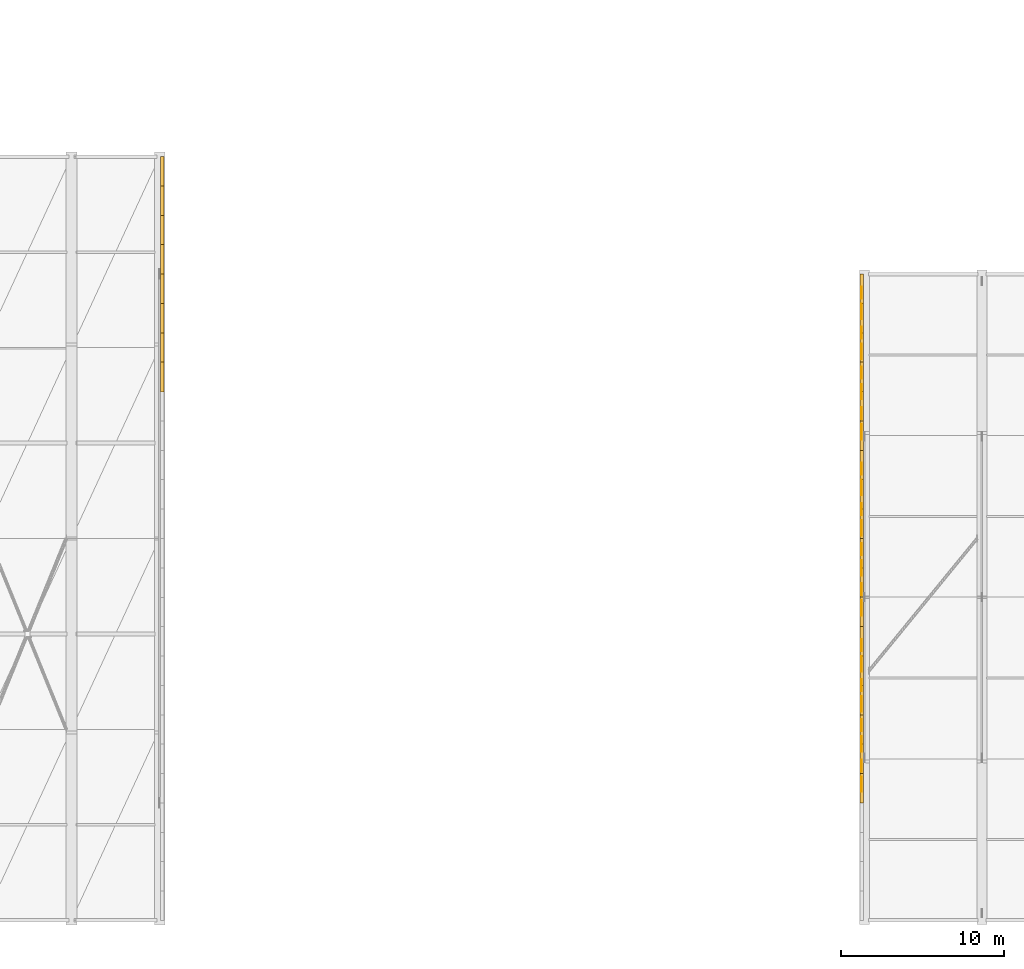
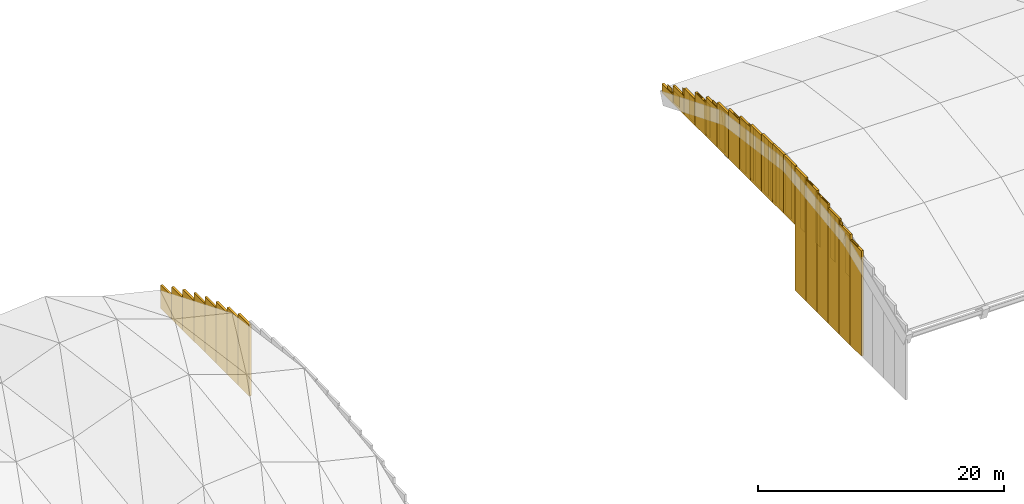
# One storey, part 20 of 22: 50 coverings.
"""IFC4 building model written with IfcOpenShell, lengths in metres."""

from ifc_helpers import new_model, si_unit, direction, frame, origin, origin_2d, place, context, subcontext, project, spatial, rectangle, extrude, material, layer, layer_set, type_object, element, save


model = new_model("IFC4")

# Units and contexts
model_context = context("Model", 3, precision=1e-05, world=origin(), true_north=direction((0.0, 1.0)))
body_context = subcontext(model_context, "Body", "Model", "MODEL_VIEW")
ifc_project = project(units=[si_unit("LENGTHUNIT", "METRE"), si_unit("AREAUNIT", "SQUARE_METRE"), si_unit("VOLUMEUNIT", "CUBIC_METRE"), si_unit("PLANEANGLEUNIT", "RADIAN"), si_unit("MASSUNIT", "GRAM", prefix="KILO")], contexts=[model_context])

# Site, building, storey
site_placement = place(None, origin())
site = spatial("IfcSite", under=ifc_project, at=site_placement, CompositionType="ELEMENT")
building_placement = place(site_placement, origin())
building = spatial("IfcBuilding", under=site, at=building_placement, Name="Lusvemor Sports Hall", CompositionType="ELEMENT")
storey_placement = place(building_placement, frame((0.0, 0.0, 23.39990234375)))
storey = spatial("IfcBuildingStorey", under=building, at=storey_placement, Name="Roof", CompositionType="ELEMENT", Elevation=23.39990234375)

# Coverings
ifc_material_1 = material(Name="Emerald polychrome glazed ceramic cladding on Concrete C40/50 backing", Category="concrete")
ifc_layer_1 = layer(ifc_material_1, 0.0458984375)
ifc_layer_set_1 = layer_set([ifc_layer_1], Name="Emerald polychrome glazed ceramic cladding on Concrete C40/50 backing")
covering_type_1 = type_object("IfcCoveringType", Name="CLAD_WAVE_EMERALD", PredefinedType="CLADDING", material=ifc_layer_set_1)
covering_1_placement = place(storey_placement, frame((118.6220703125, 8.3349609375, -1.919921875), z_axis=(0.0, 0.0, 1.0), x_axis=(1.0, 0.0, 0.0)))
element("IfcCovering", 1, at=covering_1_placement, inside=storey, type_object=covering_type_1, Name="Art Nouveau Patterned Cladding PS-V2TY-W-1-0-1", PredefinedType="CLADDING", context=body_context, shape_type="SweptSolid", body=[
    extrude(rectangle(XDim=0.0458984375, YDim=0.943115234375, at=origin_2d()), origin(), (0.0, 0.0, 1.0), 4.0166015625),
])
covering_2_placement = place(storey_placement, frame((118.6220703125, 10.794921875, -1.919921875), z_axis=(0.0, 0.0, 1.0), x_axis=(1.0, 0.0, 0.0)))
element("IfcCovering", 2, at=covering_2_placement, inside=storey, type_object=covering_type_1, Name="Art Nouveau Patterned Cladding PS-V2TY-W-1-1-1", PredefinedType="CLADDING", context=body_context, shape_type="SweptSolid", body=[
    extrude(rectangle(XDim=0.0458984375, YDim=0.943115234375, at=origin_2d()), origin(), (0.0, 0.0, 1.0), 4.671142578125),
])
covering_3_placement = place(storey_placement, frame((118.6220703125, 13.2548828125, -1.919921875), z_axis=(0.0, 0.0, 1.0), x_axis=(1.0, 0.0, 0.0)))
element("IfcCovering", 3, at=covering_3_placement, inside=storey, type_object=covering_type_1, Name="Art Nouveau Patterned Cladding PS-V2TY-W-1-2-1", PredefinedType="CLADDING", context=body_context, shape_type="SweptSolid", body=[
    extrude(rectangle(XDim=0.0458984375, YDim=0.943115234375, at=origin_2d()), origin(), (0.0, 0.0, 1.0), 5.1591796875),
])
covering_4_placement = place(storey_placement, frame((118.6220703125, 15.715087890625, -1.919921875), z_axis=(0.0, 0.0, 1.0), x_axis=(1.0, 0.0, 0.0)))
element("IfcCovering", 4, at=covering_4_placement, inside=storey, type_object=covering_type_1, Name="Art Nouveau Patterned Cladding PS-V2TY-W-1-3-1", PredefinedType="CLADDING", context=body_context, shape_type="SweptSolid", body=[
    extrude(rectangle(XDim=0.0458984375, YDim=0.943115234375, at=origin_2d()), origin(), (0.0, 0.0, 1.0), 5.480224609375),
])
covering_5_placement = place(storey_placement, frame((118.6220703125, 19.135009765625, -1.919921875), z_axis=(0.0, 0.0, 1.0), x_axis=(1.0, 0.0, 0.0)))
element("IfcCovering", 5, at=covering_5_placement, inside=storey, type_object=covering_type_1, Name="Art Nouveau Patterned Cladding PS-V2TY-W-2-0-1", PredefinedType="CLADDING", context=body_context, shape_type="SweptSolid", body=[
    extrude(rectangle(XDim=0.0458984375, YDim=0.943115234375, at=origin_2d()), origin(), (0.0, 0.0, 1.0), 5.64990234375),
])
covering_6_placement = place(storey_placement, frame((118.6220703125, 21.594970703125, -1.919921875), z_axis=(0.0, 0.0, 1.0), x_axis=(1.0, 0.0, 0.0)))
element("IfcCovering", 6, at=covering_6_placement, inside=storey, type_object=covering_type_1, Name="Art Nouveau Patterned Cladding PS-V2TY-W-2-1-1", PredefinedType="CLADDING", context=body_context, shape_type="SweptSolid", body=[
    extrude(rectangle(XDim=0.0458984375, YDim=0.943115234375, at=origin_2d()), origin(), (0.0, 0.0, 1.0), 5.572509765625),
])
covering_7_placement = place(storey_placement, frame((118.6220703125, 24.054931640625, -1.919921875), z_axis=(0.0, 0.0, 1.0), x_axis=(1.0, 0.0, 0.0)))
element("IfcCovering", 7, at=covering_7_placement, inside=storey, type_object=covering_type_1, Name="Art Nouveau Patterned Cladding PS-V2TY-W-2-2-1", PredefinedType="CLADDING", context=body_context, shape_type="SweptSolid", body=[
    extrude(rectangle(XDim=0.0458984375, YDim=0.943115234375, at=origin_2d()), origin(), (0.0, 0.0, 1.0), 5.32861328125),
])
covering_8_placement = place(storey_placement, frame((118.6220703125, 26.514892578125, -1.919921875), z_axis=(0.0, 0.0, 1.0), x_axis=(1.0, 0.0, 0.0)))
element("IfcCovering", 8, at=covering_8_placement, inside=storey, type_object=covering_type_1, Name="Art Nouveau Patterned Cladding PS-V2TY-W-2-3-1", PredefinedType="CLADDING", context=body_context, shape_type="SweptSolid", body=[
    extrude(rectangle(XDim=0.0458984375, YDim=0.943115234375, at=origin_2d()), origin(), (0.0, 0.0, 1.0), 4.91796875),
])
covering_9_placement = place(storey_placement, frame((118.6220703125, 29.93505859375, -1.919921875), z_axis=(0.0, 0.0, 1.0), x_axis=(1.0, 0.0, 0.0)))
element("IfcCovering", 9, at=covering_9_placement, inside=storey, type_object=covering_type_1, Name="Art Nouveau Patterned Cladding PS-V2TY-W-3-0-1", PredefinedType="CLADDING", context=body_context, shape_type="SweptSolid", body=[
    extrude(rectangle(XDim=0.0458984375, YDim=0.943115234375, at=origin_2d()), origin(), (0.0, 0.0, 1.0), 4.070068359375),
])
covering_10_placement = place(storey_placement, frame((118.6220703125, 32.39501953125, -1.919921875), z_axis=(0.0, 0.0, 1.0), x_axis=(1.0, 0.0, 0.0)))
element("IfcCovering", 10, at=covering_10_placement, inside=storey, type_object=covering_type_1, Name="Art Nouveau Patterned Cladding PS-V2TY-W-3-1-1", PredefinedType="CLADDING", context=body_context, shape_type="SweptSolid", body=[
    extrude(rectangle(XDim=0.0458984375, YDim=0.943115234375, at=origin_2d()), origin(), (0.0, 0.0, 1.0), 3.260986328125),
])
covering_11_placement = place(storey_placement, frame((118.6220703125, 34.85498046875, -1.919921875), z_axis=(0.0, 0.0, 1.0), x_axis=(1.0, 0.0, 0.0)))
element("IfcCovering", 11, at=covering_11_placement, inside=storey, type_object=covering_type_1, Name="Art Nouveau Patterned Cladding PS-V2TY-W-3-2-1", PredefinedType="CLADDING", context=body_context, shape_type="SweptSolid", body=[
    extrude(rectangle(XDim=0.0458984375, YDim=0.943115234375, at=origin_2d()), origin(), (0.0, 0.0, 1.0), 2.284912109375),
])
covering_12_placement = place(storey_placement, frame((118.6220703125, 37.31494140625, -1.919921875), z_axis=(0.0, 0.0, 1.0), x_axis=(1.0, 0.0, 0.0)))
element("IfcCovering", 12, at=covering_12_placement, inside=storey, type_object=covering_type_1, Name="Art Nouveau Patterned Cladding PS-V2TY-W-3-3-1", PredefinedType="CLADDING", context=body_context, shape_type="SweptSolid", body=[
    extrude(rectangle(XDim=0.0458984375, YDim=0.943115234375, at=origin_2d()), origin(), (0.0, 0.0, 1.0), 1.142578125),
])
covering_13_placement = place(storey_placement, frame((118.639892578125, 8.10009765625, -8.5498046875), z_axis=(0.0, 0.0, 1.0), x_axis=(1.0, 0.0, 0.0)))
element("IfcCovering", 13, at=covering_13_placement, inside=storey, type_object=covering_type_1, Name="East Vault Gable Patterned Tympanum W-05", PredefinedType="CLADDING", context=body_context, shape_type="SweptSolid", body=[
    extrude(rectangle(XDim=0.199951171875, YDim=1.81201171875, at=origin_2d()), origin(), (0.0, 0.0, 1.0), 10.444580078125),
])
covering_14_placement = place(storey_placement, frame((118.639892578125, 11.699951171875, -8.550048828125), z_axis=(0.0, 0.0, 1.0), x_axis=(1.0, 0.0, 0.0)))
element("IfcCovering", 14, at=covering_14_placement, inside=storey, type_object=covering_type_1, Name="East Vault Gable Patterned Tympanum W-07", PredefinedType="CLADDING", context=body_context, shape_type="SweptSolid", body=[
    extrude(rectangle(XDim=0.199951171875, YDim=1.81201171875, at=origin_2d()), origin(), (0.0, 0.0, 1.0), 11.42626953125),
])
covering_15_placement = place(storey_placement, frame((118.639892578125, 15.300048828125, -8.5498046875), z_axis=(0.0, 0.0, 1.0), x_axis=(1.0, 0.0, 0.0)))
element("IfcCovering", 15, at=covering_15_placement, inside=storey, type_object=covering_type_1, Name="East Vault Gable Patterned Tympanum W-09", PredefinedType="CLADDING", context=body_context, shape_type="SweptSolid", body=[
    extrude(rectangle(XDim=0.199951171875, YDim=1.81201171875, at=origin_2d()), origin(), (0.0, 0.0, 1.0), 12.051025390625),
])
covering_16_placement = place(storey_placement, frame((118.639892578125, 18.89990234375, -2.0498046875), z_axis=(0.0, 0.0, 1.0), x_axis=(1.0, 0.0, 0.0)))
element("IfcCovering", 16, at=covering_16_placement, inside=storey, type_object=covering_type_1, Name="East Vault Gable Patterned Tympanum W-11", PredefinedType="CLADDING", context=body_context, shape_type="SweptSolid", body=[
    extrude(rectangle(XDim=0.199951171875, YDim=1.81201171875, at=origin_2d()), origin(), (0.0, 0.0, 1.0), 5.81884765625),
])
covering_17_placement = place(storey_placement, frame((118.639892578125, 22.5, -2.0498046875), z_axis=(0.0, 0.0, 1.0), x_axis=(1.0, 0.0, 0.0)))
element("IfcCovering", 17, at=covering_17_placement, inside=storey, type_object=covering_type_1, Name="East Vault Gable Patterned Tympanum W-13", PredefinedType="CLADDING", context=body_context, shape_type="SweptSolid", body=[
    extrude(rectangle(XDim=0.199951171875, YDim=1.81201171875, at=origin_2d()), origin(), (0.0, 0.0, 1.0), 5.7294921875),
])
covering_18_placement = place(storey_placement, frame((118.639892578125, 26.10009765625, -2.0498046875), z_axis=(0.0, 0.0, 1.0), x_axis=(1.0, 0.0, 0.0)))
element("IfcCovering", 18, at=covering_18_placement, inside=storey, type_object=covering_type_1, Name="East Vault Gable Patterned Tympanum W-15", PredefinedType="CLADDING", context=body_context, shape_type="SweptSolid", body=[
    extrude(rectangle(XDim=0.199951171875, YDim=1.81201171875, at=origin_2d()), origin(), (0.0, 0.0, 1.0), 5.283203125),
])
covering_19_placement = place(storey_placement, frame((118.639892578125, 29.699951171875, -2.0498046875), z_axis=(0.0, 0.0, 1.0), x_axis=(1.0, 0.0, 0.0)))
element("IfcCovering", 19, at=covering_19_placement, inside=storey, type_object=covering_type_1, Name="East Vault Gable Patterned Tympanum W-17", PredefinedType="CLADDING", context=body_context, shape_type="SweptSolid", body=[
    extrude(rectangle(XDim=0.199951171875, YDim=1.81201171875, at=origin_2d()), origin(), (0.0, 0.0, 1.0), 4.47998046875),
])
covering_20_placement = place(storey_placement, frame((118.639892578125, 33.300048828125, -2.0498046875), z_axis=(0.0, 0.0, 1.0), x_axis=(1.0, 0.0, 0.0)))
element("IfcCovering", 20, at=covering_20_placement, inside=storey, type_object=covering_type_1, Name="East Vault Gable Patterned Tympanum W-19", PredefinedType="CLADDING", context=body_context, shape_type="SweptSolid", body=[
    extrude(rectangle(XDim=0.199951171875, YDim=1.81201171875, at=origin_2d()), origin(), (0.0, 0.0, 1.0), 3.319580078125),
])
covering_21_placement = place(storey_placement, frame((118.639892578125, 36.89990234375, -2.0498046875), z_axis=(0.0, 0.0, 1.0), x_axis=(1.0, 0.0, 0.0)))
element("IfcCovering", 21, at=covering_21_placement, inside=storey, type_object=covering_type_1, Name="East Vault Gable Patterned Tympanum W-21", PredefinedType="CLADDING", context=body_context, shape_type="SweptSolid", body=[
    extrude(rectangle(XDim=0.199951171875, YDim=1.81201171875, at=origin_2d()), origin(), (0.0, 0.0, 1.0), 1.80224609375),
])
covering_22_placement = place(storey_placement, frame((75.760009765625, 33.300048828125, -12.800048828125), z_axis=(0.0, 0.0, 1.0), x_axis=(1.0, 0.0, 0.0)))
element("IfcCovering", 22, at=covering_22_placement, inside=storey, type_object=covering_type_1, Name="Wave Vault Gable Patterned Tympanum E-19", PredefinedType="CLADDING", context=body_context, shape_type="SweptSolid", body=[
    extrude(rectangle(XDim=0.199951171875, YDim=1.81201171875, at=origin_2d()), origin(), (0.0, 0.0, 1.0), 7.09912109375),
])
covering_23_placement = place(storey_placement, frame((75.760009765625, 36.89990234375, -12.800048828125), z_axis=(0.0, 0.0, 1.0), x_axis=(1.0, 0.0, 0.0)))
element("IfcCovering", 23, at=covering_23_placement, inside=storey, type_object=covering_type_1, Name="Wave Vault Gable Patterned Tympanum E-21", PredefinedType="CLADDING", context=body_context, shape_type="SweptSolid", body=[
    extrude(rectangle(XDim=0.199951171875, YDim=1.81201171875, at=origin_2d()), origin(), (0.0, 0.0, 1.0), 6.10986328125),
])
covering_24_placement = place(storey_placement, frame((75.760009765625, 40.5, -12.7998046875), z_axis=(0.0, 0.0, 1.0), x_axis=(1.0, 0.0, 0.0)))
element("IfcCovering", 24, at=covering_24_placement, inside=storey, type_object=covering_type_1, Name="Wave Vault Gable Patterned Tympanum E-23", PredefinedType="CLADDING", context=body_context, shape_type="SweptSolid", body=[
    extrude(rectangle(XDim=0.199951171875, YDim=1.81201171875, at=origin_2d()), origin(), (0.0, 0.0, 1.0), 4.816162109375),
])
covering_25_placement = place(storey_placement, frame((75.760009765625, 44.10009765625, -12.800048828125), z_axis=(0.0, 0.0, 1.0), x_axis=(1.0, 0.0, 0.0)))
element("IfcCovering", 25, at=covering_25_placement, inside=storey, type_object=covering_type_1, Name="Wave Vault Gable Patterned Tympanum E-25", PredefinedType="CLADDING", context=body_context, shape_type="SweptSolid", body=[
    extrude(rectangle(XDim=0.199951171875, YDim=1.81201171875, at=origin_2d()), origin(), (0.0, 0.0, 1.0), 3.21826171875),
])
ifc_material_2 = material(Name="Warm terracotta Art Nouveau ceramic cladding on Concrete C40/50 backing", Category="masonry")
ifc_layer_2 = layer(ifc_material_2, 0.0380859375)
ifc_layer_set_2 = layer_set([ifc_layer_2], Name="Warm terracotta Art Nouveau ceramic cladding on Concrete C40/50 backing")
covering_type_2 = type_object("IfcCoveringType", Name="CLAD_WAVE_OCHRE", PredefinedType="CLADDING", material=ifc_layer_set_2)
covering_26_placement = place(storey_placement, frame((118.6259765625, 9.485107421875, -1.919921875), z_axis=(0.0, 0.0, 1.0), x_axis=(1.0, 0.0, 0.0)))
element("IfcCovering", 26, at=covering_26_placement, inside=storey, type_object=covering_type_2, Name="Art Nouveau Patterned Cladding PS-V2TY-W-1-0-2", PredefinedType="CLADDING", context=body_context, shape_type="SweptSolid", body=[
    extrude(rectangle(XDim=0.0380859375, YDim=0.736083984375, at=origin_2d()), origin(), (0.0, 0.0, 1.0), 4.0166015625),
])
covering_27_placement = place(storey_placement, frame((118.6259765625, 11.945068359375, -1.919921875), z_axis=(0.0, 0.0, 1.0), x_axis=(1.0, 0.0, 0.0)))
element("IfcCovering", 27, at=covering_27_placement, inside=storey, type_object=covering_type_2, Name="Art Nouveau Patterned Cladding PS-V2TY-W-1-1-2", PredefinedType="CLADDING", context=body_context, shape_type="SweptSolid", body=[
    extrude(rectangle(XDim=0.0380859375, YDim=0.736083984375, at=origin_2d()), origin(), (0.0, 0.0, 1.0), 4.671142578125),
])
covering_28_placement = place(storey_placement, frame((118.6259765625, 14.405029296875, -1.919921875), z_axis=(0.0, 0.0, 1.0), x_axis=(1.0, 0.0, 0.0)))
element("IfcCovering", 28, at=covering_28_placement, inside=storey, type_object=covering_type_2, Name="Art Nouveau Patterned Cladding PS-V2TY-W-1-2-2", PredefinedType="CLADDING", context=body_context, shape_type="SweptSolid", body=[
    extrude(rectangle(XDim=0.0380859375, YDim=0.736083984375, at=origin_2d()), origin(), (0.0, 0.0, 1.0), 5.1591796875),
])
covering_29_placement = place(storey_placement, frame((118.6259765625, 16.864990234375, -1.919921875), z_axis=(0.0, 0.0, 1.0), x_axis=(1.0, 0.0, 0.0)))
element("IfcCovering", 29, at=covering_29_placement, inside=storey, type_object=covering_type_2, Name="Art Nouveau Patterned Cladding PS-V2TY-W-1-3-2", PredefinedType="CLADDING", context=body_context, shape_type="SweptSolid", body=[
    extrude(rectangle(XDim=0.0380859375, YDim=0.736083984375, at=origin_2d()), origin(), (0.0, 0.0, 1.0), 5.480224609375),
])
covering_30_placement = place(storey_placement, frame((118.6259765625, 20.284912109375, -1.919921875), z_axis=(0.0, 0.0, 1.0), x_axis=(1.0, 0.0, 0.0)))
element("IfcCovering", 30, at=covering_30_placement, inside=storey, type_object=covering_type_2, Name="Art Nouveau Patterned Cladding PS-V2TY-W-2-0-2", PredefinedType="CLADDING", context=body_context, shape_type="SweptSolid", body=[
    extrude(rectangle(XDim=0.0380859375, YDim=0.736083984375, at=origin_2d()), origin(), (0.0, 0.0, 1.0), 5.64990234375),
])
covering_31_placement = place(storey_placement, frame((118.6259765625, 22.7451171875, -1.919921875), z_axis=(0.0, 0.0, 1.0), x_axis=(1.0, 0.0, 0.0)))
element("IfcCovering", 31, at=covering_31_placement, inside=storey, type_object=covering_type_2, Name="Art Nouveau Patterned Cladding PS-V2TY-W-2-1-2", PredefinedType="CLADDING", context=body_context, shape_type="SweptSolid", body=[
    extrude(rectangle(XDim=0.0380859375, YDim=0.736083984375, at=origin_2d()), origin(), (0.0, 0.0, 1.0), 5.572509765625),
])
covering_32_placement = place(storey_placement, frame((118.6259765625, 25.205078125, -1.919921875), z_axis=(0.0, 0.0, 1.0), x_axis=(1.0, 0.0, 0.0)))
element("IfcCovering", 32, at=covering_32_placement, inside=storey, type_object=covering_type_2, Name="Art Nouveau Patterned Cladding PS-V2TY-W-2-2-2", PredefinedType="CLADDING", context=body_context, shape_type="SweptSolid", body=[
    extrude(rectangle(XDim=0.0380859375, YDim=0.736083984375, at=origin_2d()), origin(), (0.0, 0.0, 1.0), 5.32861328125),
])
covering_33_placement = place(storey_placement, frame((118.6259765625, 27.6650390625, -1.919921875), z_axis=(0.0, 0.0, 1.0), x_axis=(1.0, 0.0, 0.0)))
element("IfcCovering", 33, at=covering_33_placement, inside=storey, type_object=covering_type_2, Name="Art Nouveau Patterned Cladding PS-V2TY-W-2-3-2", PredefinedType="CLADDING", context=body_context, shape_type="SweptSolid", body=[
    extrude(rectangle(XDim=0.0380859375, YDim=0.736083984375, at=origin_2d()), origin(), (0.0, 0.0, 1.0), 4.91796875),
])
covering_34_placement = place(storey_placement, frame((118.6259765625, 31.0849609375, -1.919921875), z_axis=(0.0, 0.0, 1.0), x_axis=(1.0, 0.0, 0.0)))
element("IfcCovering", 34, at=covering_34_placement, inside=storey, type_object=covering_type_2, Name="Art Nouveau Patterned Cladding PS-V2TY-W-3-0-2", PredefinedType="CLADDING", context=body_context, shape_type="SweptSolid", body=[
    extrude(rectangle(XDim=0.0380859375, YDim=0.736083984375, at=origin_2d()), origin(), (0.0, 0.0, 1.0), 4.070068359375),
])
covering_35_placement = place(storey_placement, frame((118.6259765625, 33.544921875, -1.919921875), z_axis=(0.0, 0.0, 1.0), x_axis=(1.0, 0.0, 0.0)))
element("IfcCovering", 35, at=covering_35_placement, inside=storey, type_object=covering_type_2, Name="Art Nouveau Patterned Cladding PS-V2TY-W-3-1-2", PredefinedType="CLADDING", context=body_context, shape_type="SweptSolid", body=[
    extrude(rectangle(XDim=0.0380859375, YDim=0.736083984375, at=origin_2d()), origin(), (0.0, 0.0, 1.0), 3.260986328125),
])
covering_36_placement = place(storey_placement, frame((118.6259765625, 36.0048828125, -1.919921875), z_axis=(0.0, 0.0, 1.0), x_axis=(1.0, 0.0, 0.0)))
element("IfcCovering", 36, at=covering_36_placement, inside=storey, type_object=covering_type_2, Name="Art Nouveau Patterned Cladding PS-V2TY-W-3-2-2", PredefinedType="CLADDING", context=body_context, shape_type="SweptSolid", body=[
    extrude(rectangle(XDim=0.0380859375, YDim=0.736083984375, at=origin_2d()), origin(), (0.0, 0.0, 1.0), 2.284912109375),
])
covering_37_placement = place(storey_placement, frame((118.6259765625, 38.465087890625, -1.919921875), z_axis=(0.0, 0.0, 1.0), x_axis=(1.0, 0.0, 0.0)))
element("IfcCovering", 37, at=covering_37_placement, inside=storey, type_object=covering_type_2, Name="Art Nouveau Patterned Cladding PS-V2TY-W-3-3-2", PredefinedType="CLADDING", context=body_context, shape_type="SweptSolid", body=[
    extrude(rectangle(XDim=0.0380859375, YDim=0.736083984375, at=origin_2d()), origin(), (0.0, 0.0, 1.0), 1.142578125),
])
covering_38_placement = place(storey_placement, frame((118.639892578125, 9.89990234375, -8.5498046875), z_axis=(0.0, 0.0, 1.0), x_axis=(1.0, 0.0, 0.0)))
element("IfcCovering", 38, at=covering_38_placement, inside=storey, type_object=covering_type_2, Name="East Vault Gable Patterned Tympanum W-06", PredefinedType="CLADDING", context=body_context, shape_type="SweptSolid", body=[
    extrude(rectangle(XDim=0.199951171875, YDim=1.81201171875, at=origin_2d()), origin(), (0.0, 0.0, 1.0), 10.97998046875),
])
covering_39_placement = place(storey_placement, frame((118.639892578125, 13.5, -8.5498046875), z_axis=(0.0, 0.0, 1.0), x_axis=(1.0, 0.0, 0.0)))
element("IfcCovering", 39, at=covering_39_placement, inside=storey, type_object=covering_type_2, Name="East Vault Gable Patterned Tympanum W-08", PredefinedType="CLADDING", context=body_context, shape_type="SweptSolid", body=[
    extrude(rectangle(XDim=0.199951171875, YDim=1.81201171875, at=origin_2d()), origin(), (0.0, 0.0, 1.0), 11.783203125),
])
covering_40_placement = place(storey_placement, frame((118.639892578125, 17.10009765625, -8.5498046875), z_axis=(0.0, 0.0, 1.0), x_axis=(1.0, 0.0, 0.0)))
element("IfcCovering", 40, at=covering_40_placement, inside=storey, type_object=covering_type_2, Name="East Vault Gable Patterned Tympanum W-10", PredefinedType="CLADDING", context=body_context, shape_type="SweptSolid", body=[
    extrude(rectangle(XDim=0.199951171875, YDim=1.81201171875, at=origin_2d()), origin(), (0.0, 0.0, 1.0), 12.2294921875),
])
covering_41_placement = place(storey_placement, frame((118.639892578125, 20.699951171875, -2.0498046875), z_axis=(0.0, 0.0, 1.0), x_axis=(1.0, 0.0, 0.0)))
element("IfcCovering", 41, at=covering_41_placement, inside=storey, type_object=covering_type_2, Name="East Vault Gable Patterned Tympanum W-12", PredefinedType="CLADDING", context=body_context, shape_type="SweptSolid", body=[
    extrude(rectangle(XDim=0.199951171875, YDim=1.81201171875, at=origin_2d()), origin(), (0.0, 0.0, 1.0), 5.81884765625),
])
covering_42_placement = place(storey_placement, frame((118.639892578125, 24.300048828125, -2.0498046875), z_axis=(0.0, 0.0, 1.0), x_axis=(1.0, 0.0, 0.0)))
element("IfcCovering", 42, at=covering_42_placement, inside=storey, type_object=covering_type_2, Name="East Vault Gable Patterned Tympanum W-14", PredefinedType="CLADDING", context=body_context, shape_type="SweptSolid", body=[
    extrude(rectangle(XDim=0.199951171875, YDim=1.81201171875, at=origin_2d()), origin(), (0.0, 0.0, 1.0), 5.551025390625),
])
covering_43_placement = place(storey_placement, frame((118.639892578125, 27.89990234375, -2.050048828125), z_axis=(0.0, 0.0, 1.0), x_axis=(1.0, 0.0, 0.0)))
element("IfcCovering", 43, at=covering_43_placement, inside=storey, type_object=covering_type_2, Name="East Vault Gable Patterned Tympanum W-16", PredefinedType="CLADDING", context=body_context, shape_type="SweptSolid", body=[
    extrude(rectangle(XDim=0.199951171875, YDim=1.81201171875, at=origin_2d()), origin(), (0.0, 0.0, 1.0), 4.92626953125),
])
covering_44_placement = place(storey_placement, frame((118.639892578125, 31.5, -2.0498046875), z_axis=(0.0, 0.0, 1.0), x_axis=(1.0, 0.0, 0.0)))
element("IfcCovering", 44, at=covering_44_placement, inside=storey, type_object=covering_type_2, Name="East Vault Gable Patterned Tympanum W-18", PredefinedType="CLADDING", context=body_context, shape_type="SweptSolid", body=[
    extrude(rectangle(XDim=0.199951171875, YDim=1.81201171875, at=origin_2d()), origin(), (0.0, 0.0, 1.0), 3.944580078125),
])
covering_45_placement = place(storey_placement, frame((118.639892578125, 35.10009765625, -2.0498046875), z_axis=(0.0, 0.0, 1.0), x_axis=(1.0, 0.0, 0.0)))
element("IfcCovering", 45, at=covering_45_placement, inside=storey, type_object=covering_type_2, Name="East Vault Gable Patterned Tympanum W-20", PredefinedType="CLADDING", context=body_context, shape_type="SweptSolid", body=[
    extrude(rectangle(XDim=0.199951171875, YDim=1.81201171875, at=origin_2d()), origin(), (0.0, 0.0, 1.0), 2.605712890625),
])
covering_46_placement = place(storey_placement, frame((118.639892578125, 38.699951171875, -2.0498046875), z_axis=(0.0, 0.0, 1.0), x_axis=(1.0, 0.0, 0.0)))
element("IfcCovering", 46, at=covering_46_placement, inside=storey, type_object=covering_type_2, Name="East Vault Gable Patterned Tympanum W-22", PredefinedType="CLADDING", context=body_context, shape_type="SweptSolid", body=[
    extrude(rectangle(XDim=0.199951171875, YDim=1.81201171875, at=origin_2d()), origin(), (0.0, 0.0, 1.0), 0.909912109375),
])
covering_47_placement = place(storey_placement, frame((75.760009765625, 35.10009765625, -12.7998046875), z_axis=(0.0, 0.0, 1.0), x_axis=(1.0, 0.0, 0.0)))
element("IfcCovering", 47, at=covering_47_placement, inside=storey, type_object=covering_type_2, Name="Wave Vault Gable Patterned Tympanum E-20", PredefinedType="CLADDING", context=body_context, shape_type="SweptSolid", body=[
    extrude(rectangle(XDim=0.199951171875, YDim=1.81201171875, at=origin_2d()), origin(), (0.0, 0.0, 1.0), 6.642578125),
])
covering_48_placement = place(storey_placement, frame((75.760009765625, 38.699951171875, -12.7998046875), z_axis=(0.0, 0.0, 1.0), x_axis=(1.0, 0.0, 0.0)))
element("IfcCovering", 48, at=covering_48_placement, inside=storey, type_object=covering_type_2, Name="Wave Vault Gable Patterned Tympanum E-22", PredefinedType="CLADDING", context=body_context, shape_type="SweptSolid", body=[
    extrude(rectangle(XDim=0.199951171875, YDim=1.81201171875, at=origin_2d()), origin(), (0.0, 0.0, 1.0), 5.501220703125),
])
covering_49_placement = place(storey_placement, frame((75.760009765625, 42.300048828125, -12.7998046875), z_axis=(0.0, 0.0, 1.0), x_axis=(1.0, 0.0, 0.0)))
element("IfcCovering", 49, at=covering_49_placement, inside=storey, type_object=covering_type_2, Name="Wave Vault Gable Patterned Tympanum E-24", PredefinedType="CLADDING", context=body_context, shape_type="SweptSolid", body=[
    extrude(rectangle(XDim=0.199951171875, YDim=1.81201171875, at=origin_2d()), origin(), (0.0, 0.0, 1.0), 4.055419921875),
])
covering_50_placement = place(storey_placement, frame((75.760009765625, 45.89990234375, -12.7998046875), z_axis=(0.0, 0.0, 1.0), x_axis=(1.0, 0.0, 0.0)))
element("IfcCovering", 50, at=covering_50_placement, inside=storey, type_object=covering_type_2, Name="Wave Vault Gable Patterned Tympanum E-26", PredefinedType="CLADDING", context=body_context, shape_type="SweptSolid", body=[
    extrude(rectangle(XDim=0.199951171875, YDim=1.81201171875, at=origin_2d()), origin(), (0.0, 0.0, 1.0), 2.30517578125),
])

save(model, "model.ifc")
